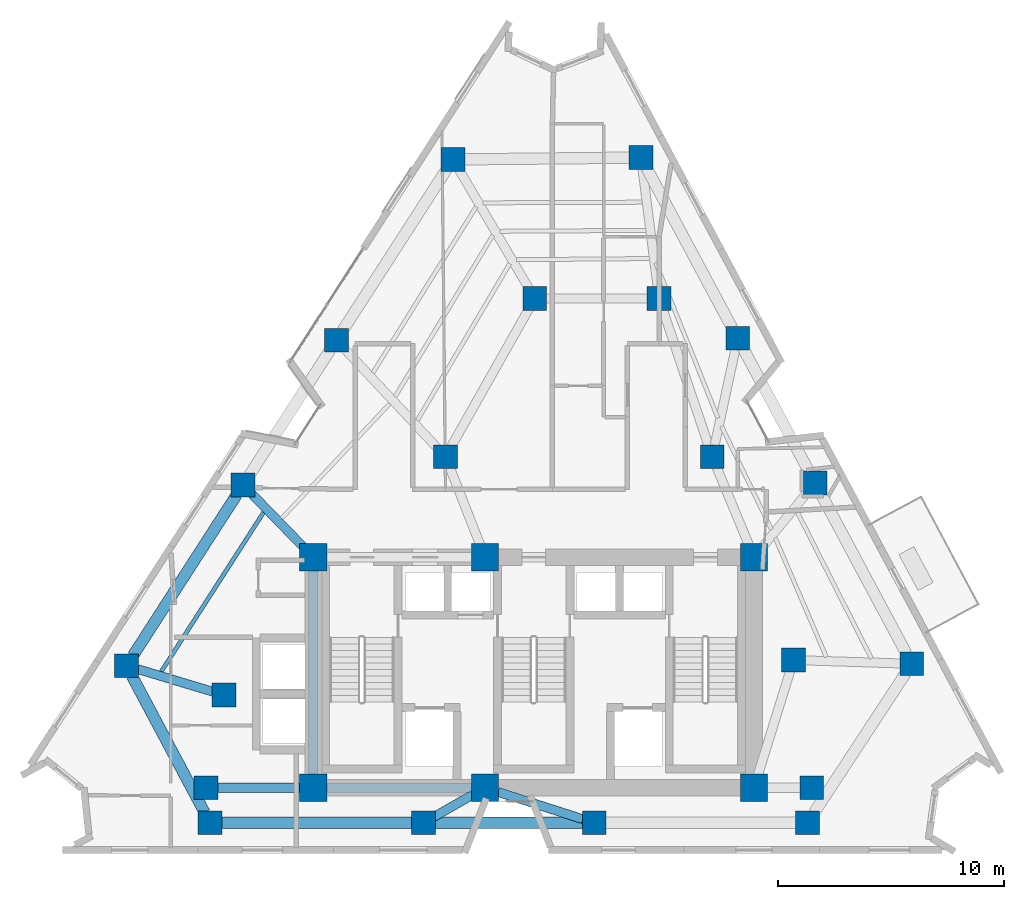
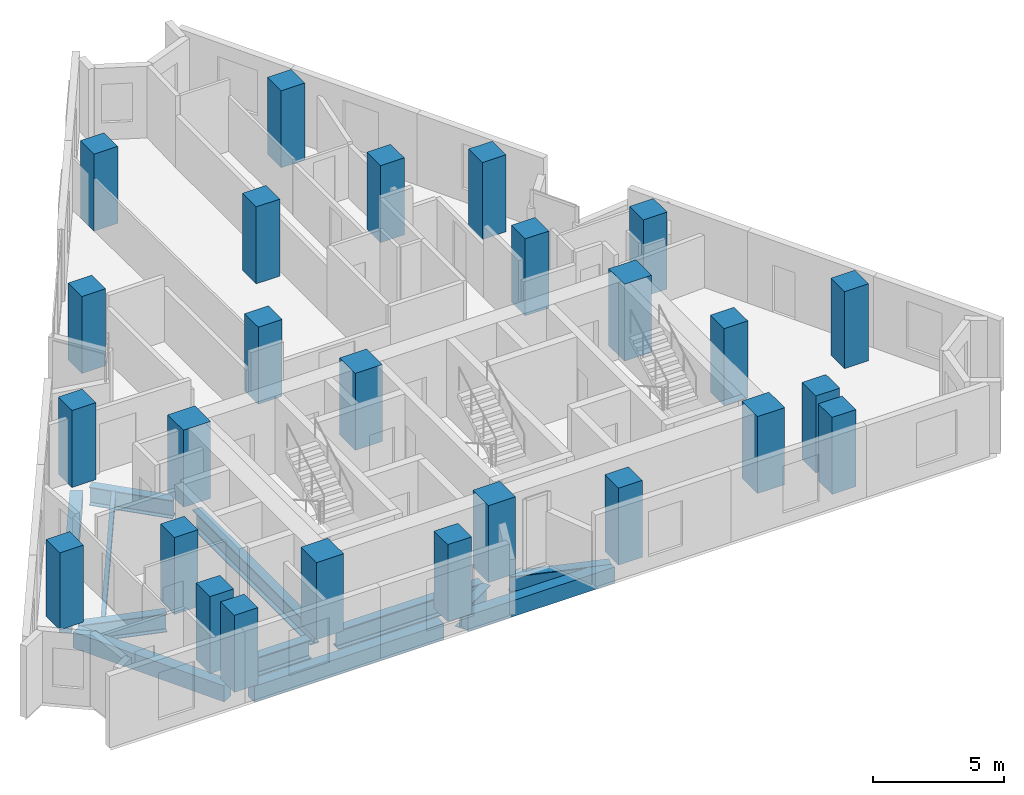
# One storey, part 1 of 12: 26 columns, 12 beams.
"""IFC4 building model written with IfcOpenShell, lengths in metres."""

from ifc_helpers import new_model, si_unit, direction, frame, origin, origin_2d, place, context, subcontext, project, spatial, rectangle, i_section, extrude, material, material_profile, profile_set, type_object, element, save


model = new_model("IFC4")

# Units and contexts
model_context = context("Model", 3, precision=1e-05, world=origin(), true_north=direction((0.0, 1.0)))
body_context = subcontext(model_context, "Body", "Model", "MODEL_VIEW")
ifc_project = project(units=[si_unit("LENGTHUNIT", "METRE"), si_unit("AREAUNIT", "SQUARE_METRE"), si_unit("VOLUMEUNIT", "CUBIC_METRE"), si_unit("PLANEANGLEUNIT", "RADIAN"), si_unit("MASSUNIT", "GRAM", prefix="KILO")], contexts=[model_context])

# Site, building, storey
site_placement = place(None, origin())
site = spatial("IfcSite", under=ifc_project, at=site_placement, CompositionType="ELEMENT")
building_placement = place(site_placement, origin())
building = spatial("IfcBuilding", under=site, at=building_placement, Name="Almagre Mirador Tower", CompositionType="ELEMENT")
storey_placement = place(building_placement, frame((0.0, 0.0, 182.39990234375)))
storey = spatial("IfcBuildingStorey", under=building, at=storey_placement, Name="L47", CompositionType="ELEMENT", Elevation=182.39990234375)

# Columns
ifc_material_1 = material(Name="Concrete C60/75", Category="concrete")
ifc_material_profile_1 = material_profile(ifc_material_1, rectangle(XDim=1.050048828125, YDim=1.050048828125, at=origin_2d()), Name="RC1050X1050")
ifc_profile_set_1 = profile_set([ifc_material_profile_1], Name="Concrete C60/75")
column_type_1 = type_object("IfcColumnType", Name="COL-RC1050", PredefinedType="COLUMN", material=ifc_profile_set_1)
for number, where, z_axis, x_axis, name in (
    (1, (22.800048828125, 4.550048828125, 0.0), (0.0, 0.0, 1.0), (1.0, 0.0, 0.0), "L47 interior transfer column MC1"),
    (2, (49.60009765625, 4.550048828125, 0.0), (0.0, 0.0, 1.0), (1.0, 0.0, 0.0), "L47 interior transfer column MC2"),
    (3, (48.800048828125, 10.199951171875, 0.0), (0.0, 0.0, 1.0), (1.0, 0.0, 0.0), "L47 interior transfer column MC3"),
    (4, (45.199951171875, 19.199951171875, 0.0), (0.0, 0.0, 1.0), (1.0, 0.0, 0.0), "L47 interior transfer column MC5"),
    (5, (42.85009765625, 26.199951171875, 0.0), (0.0, 0.0, 1.0), (1.0, 0.0, 0.0), "L47 interior transfer column MC6"),
    (6, (37.35009765625, 26.199951171875, 0.0), (0.0, 0.0, 1.0), (1.0, 0.0, 0.0), "L47 interior transfer column MC7"),
    (7, (33.39990234375, 19.199951171875, 0.0), (0.0, 0.0, 1.0), (1.0, 0.0, 0.0), "L47 interior transfer column MC8"),
    (8, (23.60009765625, 8.64990234375, 0.0), (0.0, 0.0, 1.0), (1.0, 0.0, 0.0), "L47 interior transfer column MC10"),
    (9, (22.98388671875, 3.0, 0.0), (0.0, 0.0, 1.0), (1.0, 0.0, 0.0), "L47 perimeter column PC01"),
    (10, (32.424072265625, 3.0, 0.0), (0.0, 0.0, 1.0), (1.0, 0.0, 0.0), "L47 perimeter column PC02"),
    (11, (39.97607421875, 3.0, 0.0), (0.0, 0.0, 1.0), (1.0, 0.0, 0.0), "L47 perimeter column PC03"),
    (12, (49.416015625, 3.0, 0.0), (0.0, 0.0, 1.0), (1.0, 0.0, 0.0), "L47 perimeter column PC04"),
    (13, (54.033935546875, 10.033935546875, 0.0), (0.0, 0.0, 1.0), (1.0, 0.0, 0.0), "L47 perimeter column PC05"),
    (14, (49.75390625, 18.033935546875, 0.0), (0.0, 0.0, 1.0), (1.0, 0.0, 0.0), "L47 perimeter column PC06"),
    (15, (46.330078125, 24.43408203125, 0.0), (0.0, 0.0, 1.0), (1.0, 0.0, 0.0), "L47 perimeter column PC07"),
    (16, (42.050048828125, 32.43408203125, 0.0), (0.0, 0.0, 1.0), (1.0, 0.0, 0.0), "L47 perimeter column PC08"),
    (17, (33.73193359375, 32.35009765625, 0.0), (0.0, 0.0, 1.0), (1.0, 0.0, 0.0), "L47 perimeter column PC09"),
    (18, (28.572021484375, 24.35009765625, 0.0), (0.0, 0.0, 1.0), (1.0, 0.0, 0.0), "L47 perimeter column PC10"),
    (19, (24.444091796875, 17.949951171875, 0.0), (0.0, 0.0, 1.0), (1.0, 0.0, 0.0), "L47 perimeter column PC11"),
    (20, (19.283935546875, 9.949951171875, 0.0), (0.0, 0.0, 1.0), (1.0, 0.0, 0.0), "L47 perimeter column PC12"),
):
    element("IfcColumn", number, at=place(storey_placement, frame(where, z_axis=z_axis, x_axis=x_axis)), inside=storey, type_object=column_type_1, Name=name, PredefinedType="COLUMN", context=body_context, shape_type="SweptSolid", body=[
        extrude(rectangle(XDim=1.050048828125, YDim=1.050048828125, at=origin_2d()), origin(), (0.0, 0.0, 1.0), 3.60009765625),
    ])
ifc_material_2 = material(Name="Concrete C60/75", Category="concrete")
ifc_material_profile_2 = material_profile(ifc_material_2, rectangle(XDim=1.199951171875, YDim=1.199951171875, at=origin_2d()), Name="RC1200X1200")
ifc_profile_set_2 = profile_set([ifc_material_profile_2], Name="Concrete C60/75")
column_type_2 = type_object("IfcColumnType", Name="COL-RC1200", PredefinedType="COLUMN", material=ifc_profile_set_2)
for number, where, z_axis, x_axis, name in (
    (21, (27.550048828125, 4.550048828125, 0.0), (0.0, 0.0, 1.0), (1.0, 0.0, 0.0), "L47 core spine column CC1"),
    (22, (35.14990234375, 4.550048828125, 0.0), (0.0, 0.0, 1.0), (1.0, 0.0, 0.0), "L47 core spine column CC2"),
    (23, (47.050048828125, 4.550048828125, 0.0), (0.0, 0.0, 1.0), (1.0, 0.0, 0.0), "L47 core spine column CC3"),
    (24, (27.550048828125, 14.75, 0.0), (0.0, 0.0, 1.0), (1.0, 0.0, 0.0), "L47 core spine column CC4"),
    (25, (35.14990234375, 14.75, 0.0), (0.0, 0.0, 1.0), (1.0, 0.0, 0.0), "L47 core spine column CC5"),
    (26, (47.050048828125, 14.75, 0.0), (0.0, 0.0, 1.0), (1.0, 0.0, 0.0), "L47 core spine column CC6"),
):
    element("IfcColumn", number, at=place(storey_placement, frame(where, z_axis=z_axis, x_axis=x_axis)), inside=storey, type_object=column_type_2, Name=name, PredefinedType="COLUMN", context=body_context, shape_type="SweptSolid", body=[
        extrude(rectangle(XDim=1.199951171875, YDim=1.199951171875, at=origin_2d()), origin(), (0.0, 0.0, 1.0), 3.60009765625),
    ])

# Beams
ifc_material_3 = material(Name="Steel ASTM A992 Grade 50", Category="steel")
ifc_material_profile_3 = material_profile(ifc_material_3, i_section(OverallWidth=0.178955078125, OverallDepth=0.408935546875, WebThickness=0.0087890625, FlangeThickness=0.014404296875, FilletRadius=0.013916015625, at=origin_2d()), Name="W16X45")
ifc_profile_set_3 = profile_set([ifc_material_profile_3], Name="Steel ASTM A992 Grade 50")
beam_type_1 = type_object("IfcBeamType", Name="BM-JST-W16X45", PredefinedType="JOIST", material=ifc_profile_set_3)
beam_1_placement = place(storey_placement, frame((25.35205078125, 16.735595703125, -0.454345703125), z_axis=(-0.540710465043, -0.841208768971, 0.0), x_axis=(0.841208768971, -0.540710465043, 0.0)))
element("IfcBeam", 27, at=beam_1_placement, inside=storey, type_object=beam_type_1, Name="L47 secondary floor joist PC11-PC12.1", PredefinedType="JOIST", context=body_context, shape_type="SweptSolid", body=[
    extrude(i_section(OverallWidth=0.178955078125, OverallDepth=0.408935546875, WebThickness=0.0087890625, FlangeThickness=0.014404296875, FilletRadius=0.013916015625, at=origin_2d()), origin(), (0.0, 0.0, 1.0), 8.37890625),
])
ifc_material_4 = material(Name="Precast concrete C50/60", Category="concrete")
ifc_material_profile_4 = material_profile(ifc_material_4, rectangle(XDim=0.5, YDim=0.75, at=origin_2d()), Name="RC500X750")
ifc_profile_set_4 = profile_set([ifc_material_profile_4], Name="Precast concrete C50/60")
beam_type_2 = type_object("IfcBeamType", Name="BM-SPN-RC500X750", PredefinedType="SPANDREL", material=ifc_profile_set_4)
beam_2_placement = place(storey_placement, frame((23.509033203125, 3.0, -0.625), z_axis=(1.0, 0.0, 0.0), x_axis=(0.0, 1.0, 0.0)))
element("IfcBeam", 28, at=beam_2_placement, inside=storey, type_object=beam_type_2, Name="L47 perimeter spandrel beam PC01-PC02", PredefinedType="SPANDREL", context=body_context, shape_type="SweptSolid", body=[
    extrude(rectangle(XDim=0.5, YDim=0.75, at=origin_2d()), origin(), (0.0, 0.0, 1.0), 8.389892578125),
])
beam_3_placement = place(storey_placement, frame((32.948974609375, 3.0, -0.625), z_axis=(1.0, 0.0, 0.0), x_axis=(0.0, 1.0, 0.0)))
element("IfcBeam", 29, at=beam_3_placement, inside=storey, type_object=beam_type_2, Name="L47 perimeter spandrel beam PC02-PC03", PredefinedType="SPANDREL", context=body_context, shape_type="SweptSolid", body=[
    extrude(rectangle(XDim=0.5, YDim=0.75, at=origin_2d()), origin(), (0.0, 0.0, 1.0), 6.501953125),
])
beam_4_placement = place(storey_placement, frame((24.159423828125, 17.5087890625, -0.625), z_axis=(-0.542024442959, -0.840362721231, 0.0), x_axis=(0.840362721231, -0.542024442959, 0.0)))
element("IfcBeam", 30, at=beam_4_placement, inside=storey, type_object=beam_type_2, Name="L47 perimeter spandrel beam PC11-PC12", PredefinedType="SPANDREL", context=body_context, shape_type="SweptSolid", body=[
    extrude(rectangle(XDim=0.5, YDim=0.75, at=origin_2d()), origin(), (0.0, 0.0, 1.0), 8.4697265625),
])
beam_5_placement = place(storey_placement, frame((19.53076171875, 9.486572265625, -0.625), z_axis=(0.469923278173, -0.882707263271, 0.0), x_axis=(0.882707263271, 0.469923278173, 0.0)))
element("IfcBeam", 31, at=beam_5_placement, inside=storey, type_object=beam_type_2, Name="L47 perimeter spandrel beam PC12-PC01", PredefinedType="SPANDREL", context=body_context, shape_type="SweptSolid", body=[
    extrude(rectangle(XDim=0.5, YDim=0.75, at=origin_2d()), origin(), (0.0, 0.0, 1.0), 6.823486328125),
])
ifc_material_5 = material(Name="Steel ASTM A992 Grade 50", Category="steel")
ifc_material_profile_5 = material_profile(ifc_material_5, i_section(OverallWidth=0.39892578125, OverallDepth=0.85595703125, WebThickness=0.018310546875, FlangeThickness=0.029296875, FilletRadius=0.02490234375, at=origin_2d()), Name="W33X201")
ifc_profile_set_5 = profile_set([ifc_material_profile_5], Name="Steel ASTM A992 Grade 50")
beam_type_3 = type_object("IfcBeamType", Name="BM-STL-W33X201", PredefinedType="BEAM", material=ifc_profile_set_5)
beam_6_placement = place(storey_placement, frame((32.88037109375, 3.259521484375, -0.677978515625), z_axis=(0.869309554044, 0.494268043927, 0.0), x_axis=(-0.494268043927, 0.869309554044, 0.0)))
element("IfcBeam", 32, at=beam_6_placement, inside=storey, type_object=beam_type_3, Name="L47 radial floor girder PC02-CC2", PredefinedType="BEAM", context=body_context, shape_type="SweptSolid", body=[
    extrude(i_section(OverallWidth=0.39892578125, OverallDepth=0.85595703125, WebThickness=0.018310546875, FlangeThickness=0.029296875, FilletRadius=0.02490234375, at=origin_2d()), origin(), (0.0, 0.0, 1.0), 2.0107421875),
])
beam_7_placement = place(storey_placement, frame((39.47607421875, 3.160400390625, -0.677978515625), z_axis=(-0.952092949621, 0.30580878876, 0.0), x_axis=(-0.30580878876, -0.952092949621, 0.0)))
element("IfcBeam", 33, at=beam_7_placement, inside=storey, type_object=beam_type_3, Name="L47 radial floor girder PC03-CC2", PredefinedType="BEAM", context=body_context, shape_type="SweptSolid", body=[
    extrude(i_section(OverallWidth=0.39892578125, OverallDepth=0.85595703125, WebThickness=0.018310546875, FlangeThickness=0.029296875, FilletRadius=0.02490234375, at=origin_2d()), origin(), (0.0, 0.0, 1.0), 3.94384765625),
])
beam_8_placement = place(storey_placement, frame((24.809814453125, 17.5732421875, -0.677978515625), z_axis=(0.69644765499, -0.717607597409, 0.0), x_axis=(0.717607597409, 0.69644765499, 0.0)))
element("IfcBeam", 34, at=beam_8_placement, inside=storey, type_object=beam_type_3, Name="L47 radial floor girder PC11-CC4", PredefinedType="BEAM", context=body_context, shape_type="SweptSolid", body=[
    extrude(i_section(OverallWidth=0.39892578125, OverallDepth=0.85595703125, WebThickness=0.018310546875, FlangeThickness=0.029296875, FilletRadius=0.02490234375, at=origin_2d()), origin(), (0.0, 0.0, 1.0), 3.33447265625),
])
beam_9_placement = place(storey_placement, frame((19.78662109375, 9.798583984375, -0.677978515625), z_axis=(0.957520639222, -0.288364743794, 0.0), x_axis=(0.288364743794, 0.957520639222, 0.0)))
element("IfcBeam", 35, at=beam_9_placement, inside=storey, type_object=beam_type_3, Name="L47 radial floor girder PC12-MC10", PredefinedType="BEAM", context=body_context, shape_type="SweptSolid", body=[
    extrude(i_section(OverallWidth=0.39892578125, OverallDepth=0.85595703125, WebThickness=0.018310546875, FlangeThickness=0.029296875, FilletRadius=0.02490234375, at=origin_2d()), origin(), (0.0, 0.0, 1.0), 3.457763671875),
])
ifc_material_6 = material(Name="Steel ASTM A992 Grade 50", Category="steel")
ifc_material_profile_6 = material_profile(ifc_material_6, i_section(OverallWidth=0.404052734375, OverallDepth=0.884033203125, WebThickness=0.0244140625, FlangeThickness=0.0439453125, FilletRadius=0.02490234375, at=origin_2d()), Name="W33X291")
ifc_profile_set_6 = profile_set([ifc_material_profile_6], Name="Steel ASTM A992 Grade 50")
beam_type_4 = type_object("IfcBeamType", Name="BM-STL-W33X291", PredefinedType="BEAM", material=ifc_profile_set_6)
beam_10_placement = place(storey_placement, frame((28.14990234375, 4.550048828125, -0.69189453125), z_axis=(1.0, 0.0, 0.0), x_axis=(0.0, 1.0, 0.0)))
element("IfcBeam", 36, at=beam_10_placement, inside=storey, type_object=beam_type_4, Name="L47 core tie girder CC1-CC2", PredefinedType="BEAM", context=body_context, shape_type="SweptSolid", body=[
    extrude(i_section(OverallWidth=0.404052734375, OverallDepth=0.884033203125, WebThickness=0.0244140625, FlangeThickness=0.0439453125, FilletRadius=0.02490234375, at=origin_2d()), origin(), (0.0, 0.0, 1.0), 6.400146484375),
])
beam_11_placement = place(storey_placement, frame((27.550048828125, 5.14990234375, -0.69189453125), z_axis=(0.0, 1.0, 0.0), x_axis=(-1.0, 0.0, 0.0)))
element("IfcBeam", 37, at=beam_11_placement, inside=storey, type_object=beam_type_4, Name="L47 core tie girder CC1-CC4", PredefinedType="BEAM", context=body_context, shape_type="SweptSolid", body=[
    extrude(i_section(OverallWidth=0.404052734375, OverallDepth=0.884033203125, WebThickness=0.0244140625, FlangeThickness=0.0439453125, FilletRadius=0.02490234375, at=origin_2d()), origin(), (0.0, 0.0, 1.0), 9.0),
])
beam_12_placement = place(storey_placement, frame((23.324951171875, 4.550048828125, -0.69189453125), z_axis=(1.0, 0.0, 0.0), x_axis=(0.0, 1.0, 0.0)))
element("IfcBeam", 38, at=beam_12_placement, inside=storey, type_object=beam_type_4, Name="L47 core tie girder MC1-CC1", PredefinedType="BEAM", context=body_context, shape_type="SweptSolid", body=[
    extrude(i_section(OverallWidth=0.404052734375, OverallDepth=0.884033203125, WebThickness=0.0244140625, FlangeThickness=0.0439453125, FilletRadius=0.02490234375, at=origin_2d()), origin(), (0.0, 0.0, 1.0), 3.625),
])

save(model, "model.ifc")
